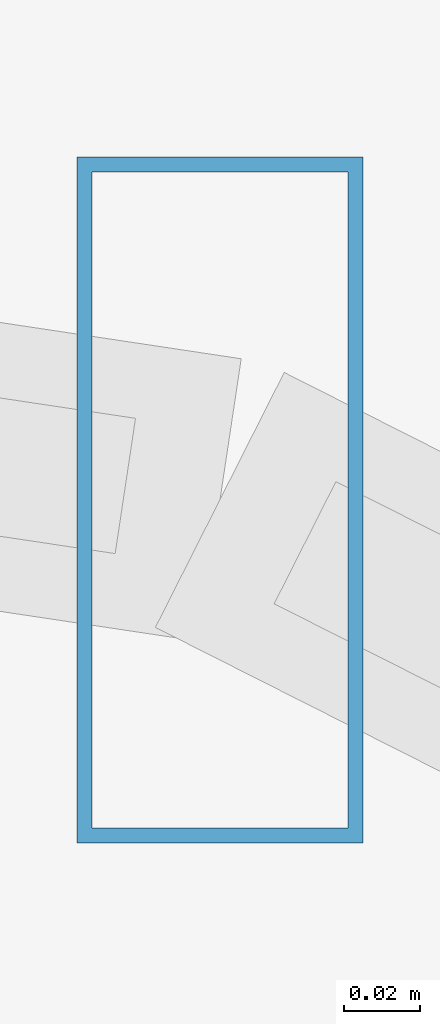
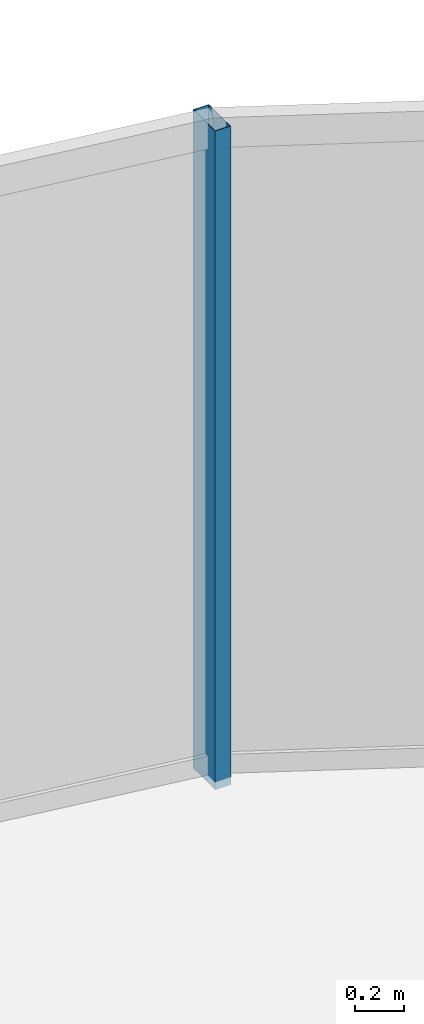
# One storey, part 23 of 33: 1 member, 1 element without a shape of its own.
"""IFC4 building model written with IfcOpenShell, lengths in metres."""

from ifc_helpers import new_model, si_unit, direction, frame, origin, origin_2d, place, context, subcontext, project, spatial, hollow_rectangle, extrude, material, material_profile, profile_set, type_object, element, aggregate, save


model = new_model("IFC4")

# Units and contexts
model_context = context("Model", 3, precision=1e-05, world=origin(), true_north=direction((0.0, 1.0)))
body_context = subcontext(model_context, "Body", "Model", "MODEL_VIEW")
ifc_project = project(units=[si_unit("LENGTHUNIT", "METRE"), si_unit("AREAUNIT", "SQUARE_METRE"), si_unit("VOLUMEUNIT", "CUBIC_METRE"), si_unit("PLANEANGLEUNIT", "RADIAN"), si_unit("MASSUNIT", "GRAM", prefix="KILO")], contexts=[model_context])

# Site, building, storey
site_placement = place(None, origin())
site = spatial("IfcSite", under=ifc_project, at=site_placement, CompositionType="ELEMENT")
building_placement = place(site_placement, origin())
building = spatial("IfcBuilding", under=site, at=building_placement, Name="Vorneva Point Tower", CompositionType="ELEMENT")
storey_placement = place(building_placement, frame((0.0, 0.0, 59.0)))
storey = spatial("IfcBuildingStorey", under=building, at=storey_placement, Name="L15", CompositionType="ELEMENT", Elevation=59.0)

# Curtain wall, member
ifc_material = material(Name="Pale anodised aluminium", Category="aluminium")
curtain_wall_type = type_object("IfcCurtainWallType", Name="CW-HTL-SYS", PredefinedType="NOTDEFINED", material=ifc_material)
curtain_wall_placement = place(storey_placement, origin())
curtain_wall = element("IfcCurtainWall", 1, at=curtain_wall_placement, inside=storey, type_object=curtain_wall_type, Name="L15 Unitised Curtain Wall CW-L15-R02", PredefinedType="NOTDEFINED")
ifc_material_profile = material_profile(ifc_material, hollow_rectangle(XDim=0.074951171875, YDim=0.179931640625, WallThickness=0.00390625, at=origin_2d()), Name="AL-MUL 180x75x4")
ifc_profile_set = profile_set([ifc_material_profile], Name="Pale anodised aluminium")
member_type = type_object("IfcMemberType", Name="CW-MUL-180", PredefinedType="MULLION", material=ifc_profile_set)
member_placement = place(storey_placement, frame((49.308349609375, 46.648681640625, -0.0400390625), z_axis=(0.0, 0.0, 1.0), x_axis=(1.0, 0.0, 0.0)))
member = element("IfcMember", 2, at=member_placement, type_object=member_type, Name="CW-L15-R02 Mullion 02", PredefinedType="MULLION", context=body_context, shape_type="SweptSolid", body=[
    extrude(hollow_rectangle(XDim=0.074951171875, YDim=0.179931640625, WallThickness=0.00390625, at=origin_2d()), origin(), (0.0, 0.0, 1.0), 3.31005859375),
])
aggregate(curtain_wall, [member])

save(model, "model.ifc")
